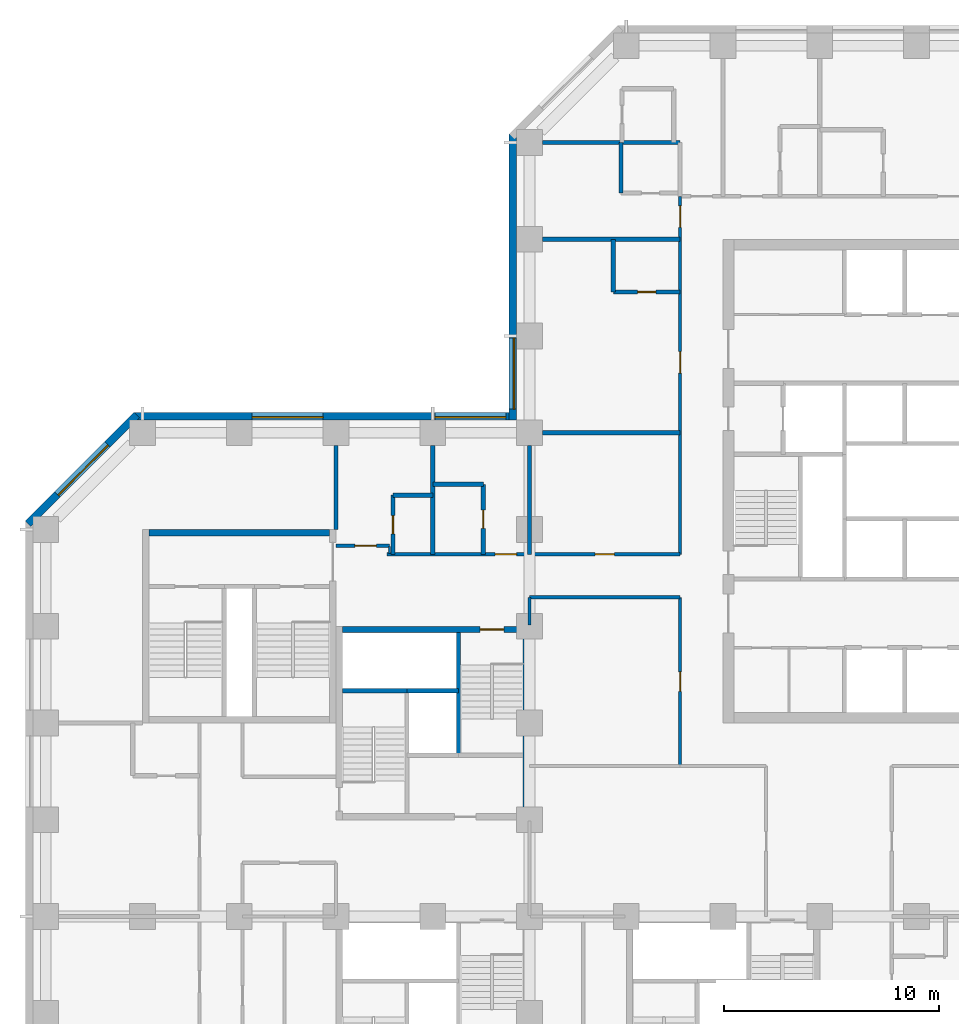
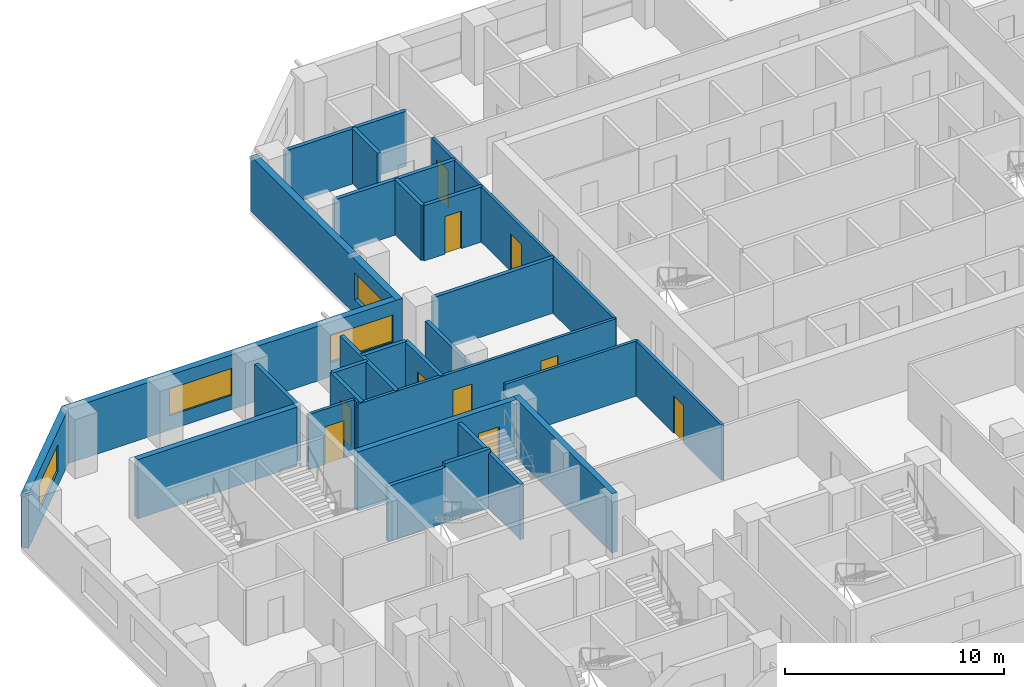
# One storey, part 7 of 13: 29 walls, 10 doors, 4 windows, 14 openings.
"""IFC4 building model written with IfcOpenShell, lengths in metres."""

from ifc_helpers import new_model, si_unit, direction, frame, frame_2d, origin, place, context, subcontext, project, spatial, rectangle, extrude, material, layer, layer_set, constituent, constituent_set, type_object, element, fill, save


model = new_model("IFC4")

# Units and contexts
model_context = context("Model", 3, precision=1e-05, world=origin(), true_north=direction((0.0, 1.0)))
body_context = subcontext(model_context, "Body", "Model", "MODEL_VIEW")
ifc_project = project(units=[si_unit("LENGTHUNIT", "METRE"), si_unit("AREAUNIT", "SQUARE_METRE"), si_unit("VOLUMEUNIT", "CUBIC_METRE"), si_unit("PLANEANGLEUNIT", "RADIAN"), si_unit("MASSUNIT", "GRAM", prefix="KILO")], contexts=[model_context])

# Site, building, storey
site_placement = place(None, origin())
site = spatial("IfcSite", under=ifc_project, at=site_placement, CompositionType="ELEMENT")
building_placement = place(site_placement, origin())
building = spatial("IfcBuilding", under=site, at=building_placement, Name="Quoin Convention Tower", CompositionType="ELEMENT")
storey_placement = place(building_placement, frame((0.0, 0.0, 62.699951171875)))
storey = spatial("IfcBuildingStorey", under=building, at=storey_placement, Name="L16", CompositionType="ELEMENT", Elevation=62.699951171875)

# Wall, opening, window
ifc_material_1 = material(Name="Brick masonry", Category="masonry")
ifc_layer_1 = layer(ifc_material_1, 0.35009765625)
ifc_layer_set_1 = layer_set([ifc_layer_1], Name="Brick masonry")
wall_type_1 = type_object("IfcWallType", Name="Brick facade wall", PredefinedType="STANDARD", material=ifc_layer_set_1)
wall_1_placement = place(storey_placement, frame((35.22509765625, 76.8935546875, 0.0), z_axis=(0.0, 0.0, 1.0), x_axis=(0.0, -1.0, 0.0)))
wall_1 = element("IfcWall", 1, at=wall_1_placement, inside=storey, type_object=wall_type_1, Name="fw-L16-36000_76500", PredefinedType="STANDARD", context=body_context, shape_type="SweptSolid", body=[
    extrude(rectangle(XDim=13.29345703125, YDim=0.35009765625, at=frame_2d((6.646728515625, 0.0))), origin(), (0.0, 0.0, 1.0), 3.054931640625),
])
opening_1_placement = place(wall_1_placement, frame((9.493408203125, 0.0, 0.800048828125)))
opening_1 = element("IfcOpeningElement", 2, at=opening_1_placement, cuts=wall_1, Name="Opening W-01", PredefinedType="OPENING", context=body_context, shape_type="SweptSolid", body=[
    extrude(rectangle(XDim=3.300048828125, YDim=1.5, at=frame_2d((1.64990234375, 0.75))), frame((0.0, 0.18505859375, 0.0), z_axis=(0.0, -1.0, 0.0), x_axis=(1.0, 0.0, 0.0)), (0.0, 0.0, 1.0), 0.3701171875),
])
ifc_material_2 = material(Name="Aluminium", Category="aluminium")
ifc_constituent_1 = constituent(ifc_material_2, Name="Frame")
ifc_material_3 = material(Name="Insulated glass", Category="glass")
ifc_constituent_2 = constituent(ifc_material_3, Name="Glazing")
ifc_constituent_set = constituent_set(constituents=[ifc_constituent_1, ifc_constituent_2], Name="Aluminium")
window_type = type_object("IfcWindowType", Name="Hotel strip window", PartitioningType="DOUBLE_PANEL_VERTICAL", PredefinedType="WINDOW", material=ifc_constituent_set)
window_1_placement = place(opening_1_placement, origin())
window_1 = element("IfcWindow", 3, at=window_1_placement, inside=storey, type_object=window_type, Name="win-L16-35225_65250", OverallHeight=1.5, OverallWidth=3.300048828125, PartitioningType="SINGLE_PANEL", PredefinedType="WINDOW", context=body_context, shape_type="SweptSolid", body=[
    extrude(rectangle(XDim=3.300048828125, YDim=1.5, at=frame_2d((1.64990234375, 0.75))), frame((0.0, 0.0849609375, 0.0), z_axis=(0.0, -1.0, 0.0), x_axis=(1.0, 0.0, 0.0)), (0.0, 0.0, 1.0), 0.06005859375),
])
fill(opening_1, window_1)

# Wall, openings, windows
wall_2_placement = place(storey_placement, frame((35.39990234375, 63.77490234375, 0.0), z_axis=(0.0, 0.0, 1.0), x_axis=(-1.0, 0.0, 0.0)))
wall_2 = element("IfcWall", 4, at=wall_2_placement, inside=storey, type_object=wall_type_1, Name="fw-L16-36000_63000", PredefinedType="STANDARD", context=body_context, shape_type="SweptSolid", body=[
    extrude(rectangle(XDim=17.79345703125, YDim=0.35009765625, at=frame_2d((8.896728515625, 0.0))), origin(), (0.0, 0.0, 1.0), 3.054931640625),
])
opening_2_placement = place(wall_2_placement, frame((0.5, 0.0, 0.800048828125)))
opening_2 = element("IfcOpeningElement", 5, at=opening_2_placement, cuts=wall_2, Name="Opening W-01", PredefinedType="OPENING", context=body_context, shape_type="SweptSolid", body=[
    extrude(rectangle(XDim=3.300048828125, YDim=1.5, at=frame_2d((1.64990234375, 0.75))), frame((0.0, 0.18505859375, 0.0), z_axis=(0.0, -1.0, 0.0), x_axis=(1.0, 0.0, 0.0)), (0.0, 0.0, 1.0), 0.3701171875),
])
opening_3_placement = place(wall_2_placement, frame((9.0, 0.0, 0.800048828125)))
opening_3 = element("IfcOpeningElement", 6, at=opening_3_placement, cuts=wall_2, Name="Opening W-01", PredefinedType="OPENING", context=body_context, shape_type="SweptSolid", body=[
    extrude(rectangle(XDim=3.300048828125, YDim=1.5, at=frame_2d((1.64990234375, 0.75))), frame((0.0, 0.18505859375, 0.0), z_axis=(0.0, -1.0, 0.0), x_axis=(1.0, 0.0, 0.0)), (0.0, 0.0, 1.0), 0.3701171875),
])
window_2_placement = place(opening_2_placement, origin())
window_2 = element("IfcWindow", 7, at=window_2_placement, inside=storey, type_object=window_type, Name="win-L16-33750_63775", OverallHeight=1.5, OverallWidth=3.300048828125, PartitioningType="SINGLE_PANEL", PredefinedType="WINDOW", context=body_context, shape_type="SweptSolid", body=[
    extrude(rectangle(XDim=3.300048828125, YDim=1.5, at=frame_2d((1.64990234375, 0.75))), frame((0.0, 0.0849609375, 0.0), z_axis=(0.0, -1.0, 0.0), x_axis=(1.0, 0.0, 0.0)), (0.0, 0.0, 1.0), 0.06005859375),
])
fill(opening_2, window_2)
window_3_placement = place(opening_3_placement, origin())
window_3 = element("IfcWindow", 8, at=window_3_placement, inside=storey, type_object=window_type, Name="win-L16-24750_63775", OverallHeight=1.5, OverallWidth=3.300048828125, PartitioningType="SINGLE_PANEL", PredefinedType="WINDOW", context=body_context, shape_type="SweptSolid", body=[
    extrude(rectangle(XDim=3.300048828125, YDim=1.5, at=frame_2d((1.64990234375, 0.75))), frame((0.0, 0.0849609375, 0.0), z_axis=(0.0, -1.0, 0.0), x_axis=(1.0, 0.0, 0.0)), (0.0, 0.0, 1.0), 0.06005859375),
])
fill(opening_3, window_3)

# Wall, opening, window
wall_3_placement = place(storey_placement, frame((17.730224609375, 63.826416015625, 0.0), z_axis=(0.0, 0.0, 1.0), x_axis=(-0.707106781187, -0.707106781187, 0.0)))
wall_3 = element("IfcWall", 9, at=wall_3_placement, inside=storey, type_object=wall_type_1, Name="fw-L16-18000_63000", PredefinedType="STANDARD", context=body_context, shape_type="SweptSolid", body=[
    extrude(rectangle(XDim=7.151123046875, YDim=0.35009765625, at=frame_2d((3.57568359375, 0.0))), origin(), (0.0, 0.0, 1.0), 3.054931640625),
])
opening_4_placement = place(wall_3_placement, frame((1.925537109375, 0.0, 0.800048828125)))
opening_4 = element("IfcOpeningElement", 10, at=opening_4_placement, cuts=wall_3, Name="Opening W-01", PredefinedType="OPENING", context=body_context, shape_type="SweptSolid", body=[
    extrude(rectangle(XDim=3.300048828125, YDim=1.5, at=frame_2d((1.64990234375, 0.75))), frame((0.0, 0.18505859375, 0.0), z_axis=(0.0, -1.0, 0.0), x_axis=(1.0, 0.0, 0.0)), (0.0, 0.0, 1.0), 0.3701171875),
])
window_4_placement = place(opening_4_placement, origin())
window_4 = element("IfcWindow", 11, at=window_4_placement, inside=storey, type_object=window_type, Name="win-L16-15202_61298", OverallHeight=1.5, OverallWidth=3.300048828125, PartitioningType="SINGLE_PANEL", PredefinedType="WINDOW", context=body_context, shape_type="SweptSolid", body=[
    extrude(rectangle(XDim=3.300048828125, YDim=1.5, at=frame_2d((1.64990234375, 0.75))), frame((0.0, 0.0849609375, 0.0), z_axis=(0.0, -1.0, 0.0), x_axis=(1.0, 0.0, 0.0)), (0.0, 0.0, 1.0), 0.06005859375),
])
fill(opening_4, window_4)

# Walls
ifc_material_4 = material(Name="Concrete C50", Category="concrete")
ifc_layer_2 = layer(ifc_material_4, 0.199951171875)
ifc_layer_set_2 = layer_set([ifc_layer_2], Name="Concrete C50")
wall_type_2 = type_object("IfcWallType", Name="Core shaft wall", PredefinedType="SOLIDWALL", material=ifc_layer_set_2)
wall_4_placement = place(storey_placement, frame((27.300048828125, 51.0, 0.0), z_axis=(0.0, 0.0, 1.0), x_axis=(1.0, 0.0, 0.0)))
element("IfcWall", 12, at=wall_4_placement, inside=storey, type_object=wall_type_2, Name="cr-P2-L16-h6000_300", PredefinedType="SOLIDWALL", context=body_context, shape_type="SweptSolid", body=[
    extrude(rectangle(XDim=3.0, YDim=0.199951171875, at=frame_2d((1.5, 0.0))), origin(), (0.0, 0.0, 1.0), 3.080078125),
])
wall_5_placement = place(storey_placement, frame((32.699951171875, 48.0, 0.0), z_axis=(0.0, 0.0, 1.0), x_axis=(0.0, 1.0, 0.0)))
element("IfcWall", 13, at=wall_5_placement, inside=storey, type_object=wall_type_2, Name="cr-P2-L16-v5700_3000", PredefinedType="SOLIDWALL", context=body_context, shape_type="SweptSolid", body=[
    extrude(rectangle(XDim=5.699951171875, YDim=0.199951171875, at=frame_2d((2.85009765625, 0.0))), origin(), (0.0, 0.0, 1.0), 3.080078125),
])
ifc_layer_3 = layer(ifc_material_4, 0.199951171875)
ifc_layer_set_3 = layer_set([ifc_layer_3], Name="Concrete C50")
wall_type_3 = type_object("IfcWallType", Name="Core shaft wall to the floor level over", PredefinedType="SOLIDWALL", material=ifc_layer_set_3)
wall_6_placement = place(storey_placement, frame((30.300048828125, 51.0, 0.0), z_axis=(0.0, 0.0, 1.0), x_axis=(1.0, 0.0, 0.0)))
element("IfcWall", 14, at=wall_6_placement, inside=storey, type_object=wall_type_3, Name="cr-P2-L16-h6000_3300", PredefinedType="SOLIDWALL", context=body_context, shape_type="SweptSolid", body=[
    extrude(rectangle(XDim=2.39990234375, YDim=0.199951171875, at=frame_2d((1.199951171875, 0.0))), origin(), (0.0, 0.0, 1.0), 3.300048828125),
])

# Wall, opening, door
ifc_material_5 = material(Name="Concrete C80", Category="concrete")
ifc_layer_4 = layer(ifc_material_5, 0.300048828125)
ifc_layer_set_4 = layer_set([ifc_layer_4], Name="Concrete C80")
wall_type_4 = type_object("IfcWallType", Name="RC CORE WALL 300 C80", PredefinedType="SHEAR", material=ifc_layer_set_4)
wall_7_placement = place(storey_placement, frame((27.300048828125, 53.85009765625, 0.0), z_axis=(0.0, 0.0, 1.0), x_axis=(1.0, 0.0, 0.0)))
wall_7 = element("IfcWall", 15, at=wall_7_placement, inside=storey, type_object=wall_type_4, Name="cwl-P2-L16-N", PredefinedType="SHEAR", context=body_context, shape_type="SweptSolid", body=[
    extrude(rectangle(XDim=8.39990234375, YDim=0.300048828125, at=frame_2d((4.199951171875, 0.0))), origin(), (0.0, 0.0, 1.0), 3.300048828125),
])
opening_5_placement = place(wall_7_placement, frame((6.39990234375, 0.0, 0.0)))
opening_5 = element("IfcOpeningElement", 16, at=opening_5_placement, cuts=wall_7, Name="Opening SD4", PredefinedType="OPENING", context=body_context, shape_type="SweptSolid", body=[
    extrude(rectangle(XDim=1.10009765625, YDim=2.10009765625, at=frame_2d((0.550048828125, 1.050048828125))), frame((0.0, 0.159912109375, 0.0), z_axis=(0.0, -1.0, 0.0), x_axis=(1.0, 0.0, 0.0)), (0.0, 0.0, 1.0), 0.320068359375),
])
ifc_material_6 = material(Name="Steel door leaf", Category="steel")
door_type_1 = type_object("IfcDoorType", Name="Stair door 1100 x 2100", OperationType="SINGLE_SWING_RIGHT", PredefinedType="DOOR", material=ifc_material_6)
door_1_placement = place(opening_5_placement, frame((1.10009765625, 0.0, 0.0), z_axis=(0.0, 0.0, 1.0), x_axis=(-1.0, 0.0, 0.0)))
door_1 = element("IfcDoor", 17, at=door_1_placement, inside=storey, type_object=door_type_1, Name="cd-P2-L16-SB-N", OperationType="SINGLE_SWING_LEFT", OverallHeight=2.10009765625, OverallWidth=1.10009765625, PredefinedType="DOOR", context=body_context, shape_type="SweptSolid", body=[
    extrude(rectangle(XDim=1.10009765625, YDim=2.10009765625, at=frame_2d((0.550048828125, 1.050048828125))), frame((0.0, 0.02490234375, 0.0), z_axis=(0.0, -1.0, 0.0), x_axis=(1.0, 0.0, 0.0)), (0.0, 0.0, 1.0), 0.050048828125),
])
fill(opening_5, door_1)

# Walls
wall_8_placement = place(storey_placement, frame((35.85009765625, 45.0, 0.0), z_axis=(0.0, 0.0, 1.0), x_axis=(0.0, 1.0, 0.0)))
element("IfcWall", 18, at=wall_8_placement, inside=storey, type_object=wall_type_4, Name="cwl-P2-L16-E", PredefinedType="SHEAR", context=body_context, shape_type="SweptSolid", body=[
    extrude(rectangle(XDim=9.0, YDim=0.300048828125, at=frame_2d((4.5, 0.0))), origin(), (0.0, 0.0, 1.0), 3.300048828125),
])
wall_9_placement = place(storey_placement, frame((18.300048828125, 58.35009765625, 0.0), z_axis=(0.0, 0.0, 1.0), x_axis=(1.0, 0.0, 0.0)))
element("IfcWall", 19, at=wall_9_placement, inside=storey, type_object=wall_type_4, Name="cwl-P6-L16-N", PredefinedType="SHEAR", context=body_context, shape_type="SweptSolid", body=[
    extrude(rectangle(XDim=8.39990234375, YDim=0.300048828125, at=frame_2d((4.199951171875, 0.0))), origin(), (0.0, 0.0, 1.0), 3.300048828125),
])
ifc_layer_5 = layer(ifc_material_4, 0.199951171875)
ifc_layer_set_5 = layer_set([ifc_layer_5], Name="Concrete C50")
wall_type_5 = type_object("IfcWallType", Name="RC party wall", PredefinedType="SOLIDWALL", material=ifc_layer_set_5)
wall_10_placement = place(storey_placement, frame((27.0, 58.5, 0.0), z_axis=(0.0, 0.0, 1.0), x_axis=(0.0, 1.0, 0.0)))
element("IfcWall", 20, at=wall_10_placement, inside=storey, type_object=wall_type_5, Name="pw-L16-097", PredefinedType="SOLIDWALL", context=body_context, shape_type="SweptSolid", body=[
    extrude(rectangle(XDim=3.89990234375, YDim=0.199951171875, at=frame_2d((1.949951171875, 0.0))), origin(), (0.0, 0.0, 1.0), 3.080078125),
])

# Wall, opening, door
wall_11_placement = place(storey_placement, frame((29.64990234375, 57.35009765625, 0.0), z_axis=(0.0, 0.0, 1.0), x_axis=(0.0, 1.0, 0.0)))
wall_11 = element("IfcWall", 21, at=wall_11_placement, inside=storey, type_object=wall_type_5, Name="pw-L16-098", PredefinedType="SOLIDWALL", context=body_context, shape_type="SweptSolid", body=[
    extrude(rectangle(XDim=2.75, YDim=0.199951171875, at=frame_2d((1.375, 0.0))), origin(), (0.0, 0.0, 1.0), 3.080078125),
])
opening_6_placement = place(wall_11_placement, frame((0.949951171875, 0.0, 0.0)))
opening_6 = element("IfcOpeningElement", 22, at=opening_6_placement, cuts=wall_11, Name="Opening DHOTEL-E-52", PredefinedType="OPENING", context=body_context, shape_type="SweptSolid", body=[
    extrude(rectangle(XDim=0.85009765625, YDim=2.10009765625, at=frame_2d((0.425048828125, 1.050048828125))), frame((0.0, 0.10986328125, 0.0), z_axis=(0.0, -1.0, 0.0), x_axis=(1.0, 0.0, 0.0)), (0.0, 0.0, 1.0), 0.219970703125),
])
door_type_2 = type_object("IfcDoorType", Name="Bathroom door", OperationType="SINGLE_SWING_LEFT", PredefinedType="DOOR", material=ifc_material_6)
door_2_placement = place(opening_6_placement, frame((0.85009765625, 0.0, 0.0), z_axis=(0.0, 0.0, 1.0), x_axis=(-1.0, 0.0, 0.0)))
door_2 = element("IfcDoor", 23, at=door_2_placement, inside=storey, type_object=door_type_2, Name="dr-L16-024", OperationType="SINGLE_SWING_LEFT", OverallHeight=2.10009765625, OverallWidth=0.85009765625, PredefinedType="DOOR", context=body_context, shape_type="SweptSolid", body=[
    extrude(rectangle(XDim=0.85009765625, YDim=2.10009765625, at=frame_2d((0.425048828125, 1.050048828125))), frame((0.0, 0.02490234375, 0.0), z_axis=(0.0, -1.0, 0.0), x_axis=(1.0, 0.0, 0.0)), (0.0, 0.0, 1.0), 0.050048828125),
])
fill(opening_6, door_2)

# Wall
wall_12_placement = place(storey_placement, frame((31.5, 57.35009765625, 0.0), z_axis=(0.0, 0.0, 1.0), x_axis=(0.0, 1.0, 0.0)))
element("IfcWall", 24, at=wall_12_placement, inside=storey, type_object=wall_type_5, Name="pw-L16-099", PredefinedType="SOLIDWALL", context=body_context, shape_type="SweptSolid", body=[
    extrude(rectangle(XDim=5.0498046875, YDim=0.199951171875, at=frame_2d((2.52490234375, 0.0))), origin(), (0.0, 0.0, 1.0), 3.080078125),
])

# Wall, opening, door
wall_13_placement = place(storey_placement, frame((33.85009765625, 57.35009765625, 0.0), z_axis=(0.0, 0.0, 1.0), x_axis=(0.0, 1.0, 0.0)))
wall_13 = element("IfcWall", 25, at=wall_13_placement, inside=storey, type_object=wall_type_5, Name="pw-L16-100", PredefinedType="SOLIDWALL", context=body_context, shape_type="SweptSolid", body=[
    extrude(rectangle(XDim=3.25, YDim=0.199951171875, at=frame_2d((1.625, 0.0))), origin(), (0.0, 0.0, 1.0), 3.080078125),
])
opening_7_placement = place(wall_13_placement, frame((1.199951171875, 0.0, 0.0)))
opening_7 = element("IfcOpeningElement", 26, at=opening_7_placement, cuts=wall_13, Name="Opening DHOTEL-E-53", PredefinedType="OPENING", context=body_context, shape_type="SweptSolid", body=[
    extrude(rectangle(XDim=0.85009765625, YDim=2.10009765625, at=frame_2d((0.425048828125, 1.050048828125))), frame((0.0, 0.10986328125, 0.0), z_axis=(0.0, -1.0, 0.0), x_axis=(1.0, 0.0, 0.0)), (0.0, 0.0, 1.0), 0.219970703125),
])
door_3_placement = place(opening_7_placement, frame((0.85009765625, 0.0, 0.0), z_axis=(0.0, 0.0, 1.0), x_axis=(-1.0, 0.0, 0.0)))
door_3 = element("IfcDoor", 27, at=door_3_placement, inside=storey, type_object=door_type_2, Name="dr-L16-022", OperationType="SINGLE_SWING_RIGHT", OverallHeight=2.10009765625, OverallWidth=0.85009765625, PredefinedType="DOOR", context=body_context, shape_type="SweptSolid", body=[
    extrude(rectangle(XDim=0.85009765625, YDim=2.10009765625, at=frame_2d((0.425048828125, 1.050048828125))), frame((0.0, 0.02490234375, 0.0), z_axis=(0.0, -1.0, 0.0), x_axis=(1.0, 0.0, 0.0)), (0.0, 0.0, 1.0), 0.050048828125),
])
fill(opening_7, door_3)

# Walls
wall_14_placement = place(storey_placement, frame((29.64990234375, 60.10009765625, 0.0), z_axis=(0.0, 0.0, 1.0), x_axis=(1.0, 0.0, 0.0)))
element("IfcWall", 28, at=wall_14_placement, inside=storey, type_object=wall_type_5, Name="pw-L16-106", PredefinedType="SOLIDWALL", context=body_context, shape_type="SweptSolid", body=[
    extrude(rectangle(XDim=1.85009765625, YDim=0.199951171875, at=frame_2d((0.925048828125, 0.0))), origin(), (0.0, 0.0, 1.0), 3.080078125),
])
wall_15_placement = place(storey_placement, frame((31.5, 60.60009765625, 0.0), z_axis=(0.0, 0.0, 1.0), x_axis=(1.0, 0.0, 0.0)))
element("IfcWall", 29, at=wall_15_placement, inside=storey, type_object=wall_type_5, Name="pw-L16-107", PredefinedType="SOLIDWALL", context=body_context, shape_type="SweptSolid", body=[
    extrude(rectangle(XDim=2.35009765625, YDim=0.199951171875, at=frame_2d((1.175048828125, 0.0))), origin(), (0.0, 0.0, 1.0), 3.080078125),
])

# Wall, opening, door
wall_16_placement = place(storey_placement, frame((39.89990234375, 69.550048828125, 0.0), z_axis=(0.0, 0.0, 1.0), x_axis=(1.0, 0.0, 0.0)))
wall_16 = element("IfcWall", 30, at=wall_16_placement, inside=storey, type_object=wall_type_5, Name="pw-L16-113", PredefinedType="SOLIDWALL", context=body_context, shape_type="SweptSolid", body=[
    extrude(rectangle(XDim=3.10009765625, YDim=0.199951171875, at=frame_2d((1.550048828125, 0.0))), origin(), (0.0, 0.0, 1.0), 3.080078125),
])
opening_8_placement = place(wall_16_placement, frame((1.125, 0.0, 0.0)))
opening_8 = element("IfcOpeningElement", 31, at=opening_8_placement, cuts=wall_16, Name="Opening DHOTEL-E-55", PredefinedType="OPENING", context=body_context, shape_type="SweptSolid", body=[
    extrude(rectangle(XDim=0.85009765625, YDim=2.10009765625, at=frame_2d((0.425048828125, 1.050048828125))), frame((0.0, 0.10986328125, 0.0), z_axis=(0.0, -1.0, 0.0), x_axis=(1.0, 0.0, 0.0)), (0.0, 0.0, 1.0), 0.219970703125),
])
door_4_placement = place(opening_8_placement, frame((0.85009765625, 0.0, 0.0), z_axis=(0.0, 0.0, 1.0), x_axis=(-1.0, 0.0, 0.0)))
door_4 = element("IfcDoor", 32, at=door_4_placement, inside=storey, type_object=door_type_2, Name="dr-L16-028", OperationType="SINGLE_SWING_LEFT", OverallHeight=2.10009765625, OverallWidth=0.85009765625, PredefinedType="DOOR", context=body_context, shape_type="SweptSolid", body=[
    extrude(rectangle(XDim=0.85009765625, YDim=2.10009765625, at=frame_2d((0.425048828125, 1.050048828125))), frame((0.0, 0.02490234375, 0.0), z_axis=(0.0, -1.0, 0.0), x_axis=(1.0, 0.0, 0.0)), (0.0, 0.0, 1.0), 0.050048828125),
])
fill(opening_8, door_4)

# Walls
wall_17_placement = place(storey_placement, frame((39.89990234375, 69.550048828125, 0.0), z_axis=(0.0, 0.0, 1.0), x_axis=(0.0, 1.0, 0.0)))
element("IfcWall", 33, at=wall_17_placement, inside=storey, type_object=wall_type_5, Name="pw-L16-114", PredefinedType="SOLIDWALL", context=body_context, shape_type="SweptSolid", body=[
    extrude(rectangle(XDim=2.449951171875, YDim=0.199951171875, at=frame_2d((1.22509765625, 0.0))), origin(), (0.0, 0.0, 1.0), 3.080078125),
])
wall_18_placement = place(storey_placement, frame((36.60009765625, 72.0, 0.0), z_axis=(0.0, 0.0, 1.0), x_axis=(1.0, 0.0, 0.0)))
element("IfcWall", 34, at=wall_18_placement, inside=storey, type_object=wall_type_5, Name="pw-L16-116", PredefinedType="SOLIDWALL", context=body_context, shape_type="SweptSolid", body=[
    extrude(rectangle(XDim=6.39990234375, YDim=0.199951171875, at=frame_2d((3.199951171875, 0.0))), origin(), (0.0, 0.0, 1.0), 3.080078125),
])
wall_19_placement = place(storey_placement, frame((40.25, 74.14990234375, 0.0), z_axis=(0.0, 0.0, 1.0), x_axis=(0.0, 1.0, 0.0)))
element("IfcWall", 35, at=wall_19_placement, inside=storey, type_object=wall_type_5, Name="pw-L16-127", PredefinedType="SOLIDWALL", context=body_context, shape_type="SweptSolid", body=[
    extrude(rectangle(XDim=2.35009765625, YDim=0.199951171875, at=frame_2d((1.175048828125, 0.0))), origin(), (0.0, 0.0, 1.0), 3.080078125),
])
wall_20_placement = place(storey_placement, frame((36.60009765625, 76.5, 0.0), z_axis=(0.0, 0.0, 1.0), x_axis=(1.0, 0.0, 0.0)))
element("IfcWall", 36, at=wall_20_placement, inside=storey, type_object=wall_type_5, Name="pw-L16-128", PredefinedType="SOLIDWALL", context=body_context, shape_type="SweptSolid", body=[
    extrude(rectangle(XDim=6.39990234375, YDim=0.199951171875, at=frame_2d((3.199951171875, 0.0))), origin(), (0.0, 0.0, 1.0), 3.080078125),
])
ifc_material_7 = material(Name="Plasterboard")
ifc_layer_6 = layer(ifc_material_7, 0.012451171875, Name="Finish")
ifc_material_8 = material(Name="Steel stud framing", Category="steel")
ifc_layer_7 = layer(ifc_material_8, 0.074951171875, Name="Structure")
ifc_layer_8 = layer(ifc_material_7, 0.012451171875, Name="Finish")
ifc_layer_set_6 = layer_set([ifc_layer_6, ifc_layer_7, ifc_layer_8], Name="Steel stud framing")
wall_type_6 = type_object("IfcWallType", Name="bathroom partition", PredefinedType="PARTITIONING", material=ifc_layer_set_6)
wall_21_placement = place(storey_placement, frame((29.47998046875, 57.385009765625, 0.0), z_axis=(0.0, 0.0, 1.0), x_axis=(0.0, 1.0, 0.0)))
element("IfcWall", 37, at=wall_21_placement, inside=storey, type_object=wall_type_6, Name="pw-L16-w02", PredefinedType="PARTITIONING", context=body_context, shape_type="SweptSolid", body=[
    extrude(rectangle(XDim=0.330078125, YDim=0.10009765625, at=frame_2d((0.1650390625, 0.0))), origin(), (0.0, 0.0, 1.0), 3.080078125),
])

# Wall, opening, door
ifc_layer_9 = layer(ifc_material_7, 0.012451171875, Name="Finish")
ifc_layer_10 = layer(ifc_material_8, 0.125, Name="Structure")
ifc_layer_11 = layer(ifc_material_7, 0.012451171875, Name="Finish")
ifc_layer_set_7 = layer_set([ifc_layer_9, ifc_layer_10, ifc_layer_11], Name="Steel stud framing")
wall_type_7 = type_object("IfcWallType", Name="corridor partition", PredefinedType="PARTITIONING", material=ifc_layer_set_7)
wall_22_placement = place(storey_placement, frame((43.0, 47.5, 0.0), z_axis=(0.0, 0.0, 1.0), x_axis=(0.0, 1.0, 0.0)))
wall_22 = element("IfcWall", 38, at=wall_22_placement, inside=storey, type_object=wall_type_7, Name="pw-L16-029", PredefinedType="PARTITIONING", context=body_context, shape_type="SweptSolid", body=[
    extrude(rectangle(XDim=7.85009765625, YDim=0.14990234375, at=frame_2d((3.925048828125, 0.0))), origin(), (0.0, 0.0, 1.0), 3.080078125),
])
opening_9_placement = place(wall_22_placement, frame((3.47509765625, 0.0, 0.0)))
opening_9 = element("IfcOpeningElement", 39, at=opening_9_placement, cuts=wall_22, Name="Opening DHOTEL-E-19", PredefinedType="OPENING", context=body_context, shape_type="SweptSolid", body=[
    extrude(rectangle(XDim=0.89990234375, YDim=2.10009765625, at=frame_2d((0.449951171875, 1.050048828125))), frame((0.0, 0.0849609375, 0.0), z_axis=(0.0, -1.0, 0.0), x_axis=(1.0, 0.0, 0.0)), (0.0, 0.0, 1.0), 0.169921875),
])
door_type_3 = type_object("IfcDoorType", Name="Single room door", OperationType="SINGLE_SWING_RIGHT", PredefinedType="DOOR", material=ifc_material_6)
door_5_placement = place(opening_9_placement, origin())
door_5 = element("IfcDoor", 40, at=door_5_placement, inside=storey, type_object=door_type_3, Name="dr-L16-067", OperationType="SINGLE_SWING_RIGHT", OverallHeight=2.10009765625, OverallWidth=0.89990234375, PredefinedType="DOOR", context=body_context, shape_type="SweptSolid", body=[
    extrude(rectangle(XDim=0.89990234375, YDim=2.10009765625, at=frame_2d((0.449951171875, 1.050048828125))), frame((0.0, 0.02490234375, 0.0), z_axis=(0.0, -1.0, 0.0), x_axis=(1.0, 0.0, 0.0)), (0.0, 0.0, 1.0), 0.050048828125),
])
fill(opening_9, door_5)

# Wall
wall_23_placement = place(storey_placement, frame((36.0, 55.35009765625, 0.0), z_axis=(0.0, 0.0, 1.0), x_axis=(1.0, 0.0, 0.0)))
element("IfcWall", 41, at=wall_23_placement, inside=storey, type_object=wall_type_7, Name="pw-L16-035", PredefinedType="PARTITIONING", context=body_context, shape_type="SweptSolid", body=[
    extrude(rectangle(XDim=7.0, YDim=0.14990234375, at=frame_2d((3.5, 0.0))), origin(), (0.0, 0.0, 1.0), 3.080078125),
])

# Wall, openings, doors
wall_24_placement = place(storey_placement, frame((29.3798828125, 57.35009765625, 0.0), z_axis=(0.0, 0.0, 1.0), x_axis=(1.0, 0.0, 0.0)))
wall_24 = element("IfcWall", 42, at=wall_24_placement, inside=storey, type_object=wall_type_7, Name="pw-L16-036", PredefinedType="PARTITIONING", context=body_context, shape_type="SweptSolid", body=[
    extrude(rectangle(XDim=13.6201171875, YDim=0.14990234375, at=frame_2d((6.81005859375, 0.0))), origin(), (0.0, 0.0, 1.0), 3.080078125),
])
opening_10_placement = place(wall_24_placement, frame((5.02001953125, 0.0, 0.0)))
opening_10 = element("IfcOpeningElement", 43, at=opening_10_placement, cuts=wall_24, Name="Opening DHOTEL-E-27", PredefinedType="OPENING", context=body_context, shape_type="SweptSolid", body=[
    extrude(rectangle(XDim=1.0, YDim=2.10009765625, at=frame_2d((0.5, 1.050048828125))), frame((0.0, 0.0849609375, 0.0), z_axis=(0.0, -1.0, 0.0), x_axis=(1.0, 0.0, 0.0)), (0.0, 0.0, 1.0), 0.169921875),
])
opening_11_placement = place(wall_24_placement, frame((9.669921875, 0.0, 0.0)))
opening_11 = element("IfcOpeningElement", 44, at=opening_11_placement, cuts=wall_24, Name="Opening DHOTEL-E-28", PredefinedType="OPENING", context=body_context, shape_type="SweptSolid", body=[
    extrude(rectangle(XDim=0.89990234375, YDim=2.10009765625, at=frame_2d((0.449951171875, 1.050048828125))), frame((0.0, 0.0849609375, 0.0), z_axis=(0.0, -1.0, 0.0), x_axis=(1.0, 0.0, 0.0)), (0.0, 0.0, 1.0), 0.169921875),
])
door_type_4 = type_object("IfcDoorType", Name="Hotel room door", OperationType="SINGLE_SWING_LEFT", PredefinedType="DOOR", material=ifc_material_6)
door_6_placement = place(opening_10_placement, origin())
door_6 = element("IfcDoor", 45, at=door_6_placement, inside=storey, type_object=door_type_4, Name="dr-L16-021", OperationType="SINGLE_SWING_LEFT", OverallHeight=2.10009765625, OverallWidth=1.0, PredefinedType="DOOR", context=body_context, shape_type="SweptSolid", body=[
    extrude(rectangle(XDim=1.0, YDim=2.10009765625, at=frame_2d((0.5, 1.050048828125))), frame((0.0, 0.02490234375, 0.0), z_axis=(0.0, -1.0, 0.0), x_axis=(1.0, 0.0, 0.0)), (0.0, 0.0, 1.0), 0.050048828125),
])
fill(opening_10, door_6)
door_7_placement = place(opening_11_placement, origin())
door_7 = element("IfcDoor", 46, at=door_7_placement, inside=storey, type_object=door_type_3, Name="dr-L16-068", OperationType="SINGLE_SWING_RIGHT", OverallHeight=2.10009765625, OverallWidth=0.89990234375, PredefinedType="DOOR", context=body_context, shape_type="SweptSolid", body=[
    extrude(rectangle(XDim=0.89990234375, YDim=2.10009765625, at=frame_2d((0.449951171875, 1.050048828125))), frame((0.0, 0.02490234375, 0.0), z_axis=(0.0, -1.0, 0.0), x_axis=(1.0, 0.0, 0.0)), (0.0, 0.0, 1.0), 0.050048828125),
])
fill(opening_11, door_7)

wall_25_placement = place(storey_placement, frame((43.0, 57.35009765625, 0.0), z_axis=(0.0, 0.0, 1.0), x_axis=(0.0, 1.0, 0.0)))
wall_25 = element("IfcWall", 47, at=wall_25_placement, inside=storey, type_object=wall_type_7, Name="pw-L16-037", PredefinedType="PARTITIONING", context=body_context, shape_type="SweptSolid", body=[
    extrude(rectangle(XDim=16.64990234375, YDim=0.14990234375, at=frame_2d((8.324951171875, 0.0))), origin(), (0.0, 0.0, 1.0), 3.080078125),
])
opening_12_placement = place(wall_25_placement, frame((8.425048828125, 0.0, 0.0)))
opening_12 = element("IfcOpeningElement", 48, at=opening_12_placement, cuts=wall_25, Name="Opening DHOTEL-E-29", PredefinedType="OPENING", context=body_context, shape_type="SweptSolid", body=[
    extrude(rectangle(XDim=1.0, YDim=2.10009765625, at=frame_2d((0.5, 1.050048828125))), frame((0.0, 0.0849609375, 0.0), z_axis=(0.0, -1.0, 0.0), x_axis=(1.0, 0.0, 0.0)), (0.0, 0.0, 1.0), 0.169921875),
])
opening_13_placement = place(wall_25_placement, frame((15.202880859375, 0.0, 0.0)))
opening_13 = element("IfcOpeningElement", 49, at=opening_13_placement, cuts=wall_25, Name="Opening DHOTEL-E-30", PredefinedType="OPENING", context=body_context, shape_type="SweptSolid", body=[
    extrude(rectangle(XDim=1.0, YDim=2.10009765625, at=frame_2d((0.5, 1.050048828125))), frame((0.0, 0.0849609375, 0.0), z_axis=(0.0, -1.0, 0.0), x_axis=(1.0, 0.0, 0.0)), (0.0, 0.0, 1.0), 0.169921875),
])
door_8_placement = place(opening_12_placement, origin())
door_8 = element("IfcDoor", 50, at=door_8_placement, inside=storey, type_object=door_type_4, Name="dr-L16-027", OperationType="SINGLE_SWING_RIGHT", OverallHeight=2.10009765625, OverallWidth=1.0, PredefinedType="DOOR", context=body_context, shape_type="SweptSolid", body=[
    extrude(rectangle(XDim=1.0, YDim=2.10009765625, at=frame_2d((0.5, 1.050048828125))), frame((0.0, 0.02490234375, 0.0), z_axis=(0.0, -1.0, 0.0), x_axis=(1.0, 0.0, 0.0)), (0.0, 0.0, 1.0), 0.050048828125),
])
fill(opening_12, door_8)
door_9_placement = place(opening_13_placement, origin())
door_9 = element("IfcDoor", 51, at=door_9_placement, inside=storey, type_object=door_type_4, Name="dr-L16-029", OperationType="SINGLE_SWING_RIGHT", OverallHeight=2.10009765625, OverallWidth=1.0, PredefinedType="DOOR", context=body_context, shape_type="SweptSolid", body=[
    extrude(rectangle(XDim=1.0, YDim=2.10009765625, at=frame_2d((0.5, 1.050048828125))), frame((0.0, 0.02490234375, 0.0), z_axis=(0.0, -1.0, 0.0), x_axis=(1.0, 0.0, 0.0)), (0.0, 0.0, 1.0), 0.050048828125),
])
fill(opening_13, door_9)

# Wall, opening, door
wall_26_placement = place(storey_placement, frame((27.0, 57.75, 0.0), z_axis=(0.0, 0.0, 1.0), x_axis=(1.0, 0.0, 0.0)))
wall_26 = element("IfcWall", 52, at=wall_26_placement, inside=storey, type_object=wall_type_7, Name="pw-L16-w01", PredefinedType="PARTITIONING", context=body_context, shape_type="SweptSolid", body=[
    extrude(rectangle(XDim=2.47998046875, YDim=0.14990234375, at=frame_2d((1.239990234375, 0.0))), origin(), (0.0, 0.0, 1.0), 3.080078125),
])
opening_14_placement = place(wall_26_placement, frame((0.875, 0.0, 0.0)))
opening_14 = element("IfcOpeningElement", 53, at=opening_14_placement, cuts=wall_26, Name="Opening DHOTEL-E-63", PredefinedType="OPENING", context=body_context, shape_type="SweptSolid", body=[
    extrude(rectangle(XDim=1.0, YDim=2.10009765625, at=frame_2d((0.5, 1.050048828125))), frame((0.0, 0.0849609375, 0.0), z_axis=(0.0, -1.0, 0.0), x_axis=(1.0, 0.0, 0.0)), (0.0, 0.0, 1.0), 0.169921875),
])
door_10_placement = place(opening_14_placement, origin())
door_10 = element("IfcDoor", 54, at=door_10_placement, inside=storey, type_object=door_type_4, Name="dr-L16-w81", OperationType="SINGLE_SWING_RIGHT", OverallHeight=2.10009765625, OverallWidth=1.0, PredefinedType="DOOR", context=body_context, shape_type="SweptSolid", body=[
    extrude(rectangle(XDim=1.0, YDim=2.10009765625, at=frame_2d((0.5, 1.050048828125))), frame((0.0, 0.02490234375, 0.0), z_axis=(0.0, -1.0, 0.0), x_axis=(1.0, 0.0, 0.0)), (0.0, 0.0, 1.0), 0.050048828125),
])
fill(opening_14, door_10)

# Walls
ifc_layer_12 = layer(ifc_material_7, 0.012451171875, Name="Finish")
ifc_layer_13 = layer(ifc_material_8, 0.125, Name="Structure")
ifc_layer_14 = layer(ifc_material_7, 0.012451171875, Name="Finish")
ifc_layer_set_8 = layer_set([ifc_layer_12, ifc_layer_13, ifc_layer_14], Name="Steel stud framing")
wall_type_8 = type_object("IfcWallType", Name="corridor partition under beam 750", PredefinedType="PARTITIONING", material=ifc_layer_set_8)
wall_27_placement = place(storey_placement, frame((36.0, 54.050048828125, 0.0), z_axis=(0.0, 0.0, 1.0), x_axis=(0.0, 1.0, 0.0)))
element("IfcWall", 55, at=wall_27_placement, inside=storey, type_object=wall_type_8, Name="pw-L16-033", PredefinedType="PARTITIONING", context=body_context, shape_type="SweptSolid", body=[
    extrude(rectangle(XDim=1.300048828125, YDim=0.14990234375, at=frame_2d((0.64990234375, 0.0))), origin(), (0.0, 0.0, 1.0), 2.330078125),
])
ifc_layer_15 = layer(ifc_material_7, 0.012451171875, Name="Finish")
ifc_layer_16 = layer(ifc_material_8, 0.175048828125, Name="Structure")
ifc_layer_17 = layer(ifc_material_7, 0.012451171875, Name="Finish")
ifc_layer_set_9 = layer_set([ifc_layer_15, ifc_layer_16, ifc_layer_17], Name="Steel stud framing")
wall_type_9 = type_object("IfcWallType", Name="guest room compartment wall", PredefinedType="PARTITIONING", material=ifc_layer_set_9)
wall_28_placement = place(storey_placement, frame((36.60009765625, 63.0, 0.0), z_axis=(0.0, 0.0, 1.0), x_axis=(1.0, 0.0, 0.0)))
element("IfcWall", 56, at=wall_28_placement, inside=storey, type_object=wall_type_9, Name="pw-L16-004", PredefinedType="PARTITIONING", context=body_context, shape_type="SweptSolid", body=[
    extrude(rectangle(XDim=6.39990234375, YDim=0.199951171875, at=frame_2d((3.199951171875, 0.0))), origin(), (0.0, 0.0, 1.0), 3.080078125),
])
ifc_layer_18 = layer(ifc_material_7, 0.012451171875, Name="Finish")
ifc_layer_19 = layer(ifc_material_8, 0.175048828125, Name="Structure")
ifc_layer_20 = layer(ifc_material_7, 0.012451171875, Name="Finish")
ifc_layer_set_10 = layer_set([ifc_layer_18, ifc_layer_19, ifc_layer_20], Name="Steel stud framing")
wall_type_10 = type_object("IfcWallType", Name="guest room compartment wall under beam 750", PredefinedType="PARTITIONING", material=ifc_layer_set_10)
wall_29_placement = place(storey_placement, frame((36.0, 57.35009765625, 0.0), z_axis=(0.0, 0.0, 1.0), x_axis=(0.0, 1.0, 0.0)))
element("IfcWall", 57, at=wall_29_placement, inside=storey, type_object=wall_type_10, Name="pw-L16-003", PredefinedType="PARTITIONING", context=body_context, shape_type="SweptSolid", body=[
    extrude(rectangle(XDim=5.0498046875, YDim=0.199951171875, at=frame_2d((2.52490234375, 0.0))), origin(), (0.0, 0.0, 1.0), 2.330078125),
])

save(model, "model.ifc")
